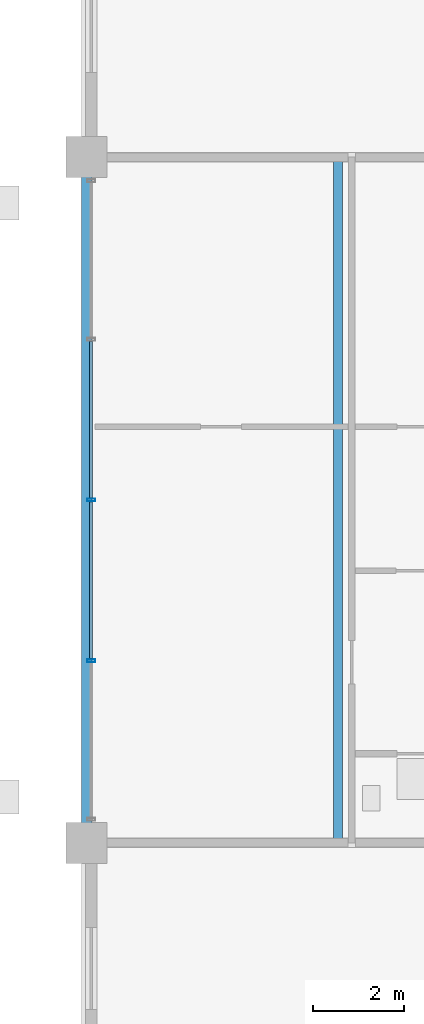
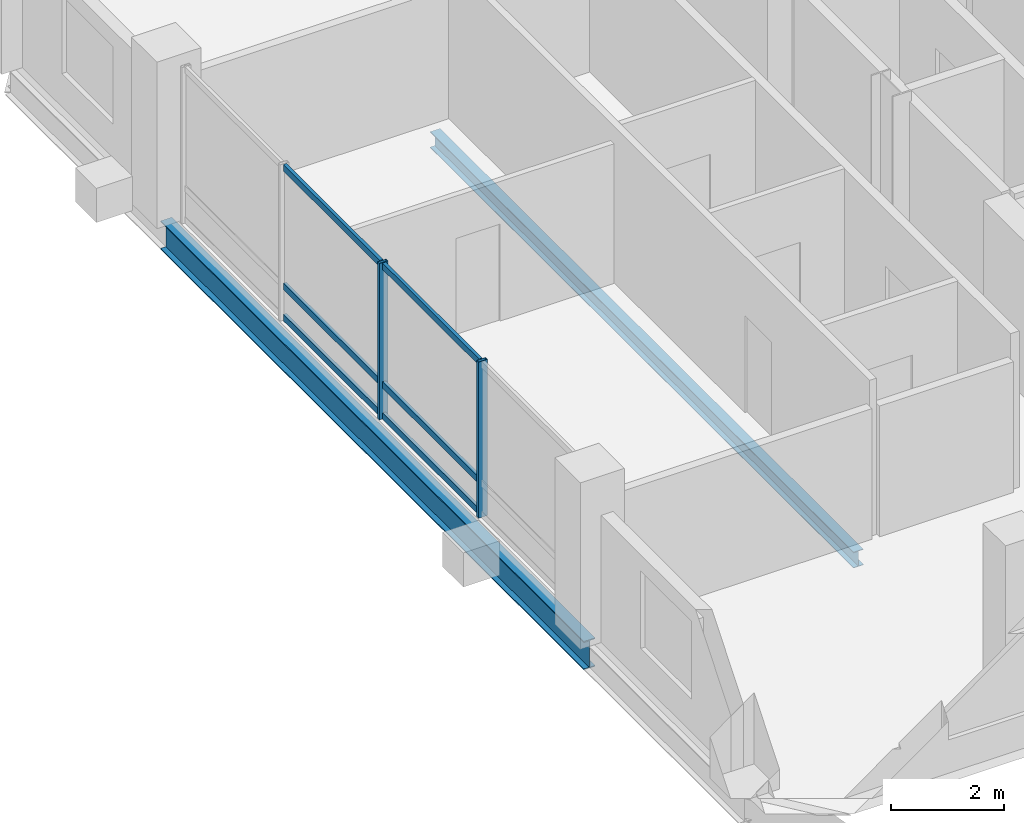
# One storey, part 6 of 22: 8 members, 2 beams, 1 element without a shape of its own.
"""IFC4 building model written with IfcOpenShell, lengths in metres."""

from ifc_helpers import new_model, si_unit, direction, frame, origin, origin_2d, place, context, subcontext, project, spatial, hollow_rectangle, i_section, extrude, material, layer, layer_set, material_profile, profile_set, type_object, element, aggregate, save


model = new_model("IFC4")

# Units and contexts
model_context = context("Model", 3, precision=1e-05, world=origin(), true_north=direction((0.0, 1.0)))
body_context = subcontext(model_context, "Body", "Model", "MODEL_VIEW")
ifc_project = project(units=[si_unit("LENGTHUNIT", "METRE"), si_unit("AREAUNIT", "SQUARE_METRE"), si_unit("VOLUMEUNIT", "CUBIC_METRE"), si_unit("PLANEANGLEUNIT", "RADIAN"), si_unit("MASSUNIT", "GRAM", prefix="KILO")], contexts=[model_context])

# Site, building, storey
site_placement = place(None, origin())
site = spatial("IfcSite", under=ifc_project, at=site_placement, CompositionType="ELEMENT")
building_placement = place(site_placement, origin())
building = spatial("IfcBuilding", under=site, at=building_placement, Name="Barlavira Tower and Art Museum", CompositionType="ELEMENT")
storey_placement = place(building_placement, frame((0.0, 0.0, 243.89990234375)))
storey = spatial("IfcBuildingStorey", under=building, at=storey_placement, Name="L63", CompositionType="ELEMENT", Elevation=243.89990234375)

# Curtain wall, members
ifc_material_1 = material(Name="Low-iron coastal laminated glass", Category="glass")
ifc_layer = layer(ifc_material_1, 0.2099609375, Name="Low-iron coastal laminated glass")
ifc_layer_set = layer_set([ifc_layer], Name="Low-iron coastal laminated glass")
curtain_wall_type = type_object("IfcCurtainWallType", Name="Pale-Metal Unitised Curtain Wall Zone 4", PredefinedType="NOTDEFINED", material=ifc_layer_set)
curtain_wall_placement = place(storey_placement, origin())
curtain_wall = element("IfcCurtainWall", 1, at=curtain_wall_placement, inside=storey, type_object=curtain_wall_type, Name="L63 Curtain Wall CW4-L63-W-B3", PredefinedType="NOTDEFINED")
ifc_material_2 = material(Name="Pale anodised aluminium", Category="aluminium")
ifc_material_profile_1 = material_profile(ifc_material_2, hollow_rectangle(XDim=0.06494140625, YDim=0.179931640625, WallThickness=0.00390625, at=origin_2d()), Name="ALU-MULL 65x180x4")
ifc_profile_set_1 = profile_set([ifc_material_profile_1], Name="Pale anodised aluminium")
member_type_1 = type_object("IfcMemberType", Name="Curtain Wall Pale-Metal Mullion 65x180", PredefinedType="MULLION", material=ifc_profile_set_1)
member_1_placement = place(storey_placement, frame((-16.89990234375, 0.0, 0.0), z_axis=(0.0, 0.0, 1.0), x_axis=(0.0, -1.0, 0.0)))
member_1 = element("IfcMember", 2, at=member_1_placement, type_object=member_type_1, Name="CW4-L63-W-B3 Mullion 2", PredefinedType="MULLION", context=body_context, shape_type="SweptSolid", body=[
    extrude(hollow_rectangle(XDim=0.06494140625, YDim=0.179931640625, WallThickness=0.00390625, at=origin_2d()), origin(), (0.0, 0.0, 1.0), 3.380126953125),
])
member_2_placement = place(storey_placement, frame((-16.89990234375, -3.514892578125, 0.0), z_axis=(0.0, 0.0, 1.0), x_axis=(0.0, -1.0, 0.0)))
member_2 = element("IfcMember", 3, at=member_2_placement, type_object=member_type_1, Name="CW4-L63-W-B3 Mullion 3", PredefinedType="MULLION", context=body_context, shape_type="SweptSolid", body=[
    extrude(hollow_rectangle(XDim=0.06494140625, YDim=0.179931640625, WallThickness=0.00390625, at=origin_2d()), origin(), (0.0, 0.0, 1.0), 3.380126953125),
])
ifc_material_profile_2 = material_profile(ifc_material_2, hollow_rectangle(XDim=0.06494140625, YDim=0.139892578125, WallThickness=0.00390625, at=origin_2d()), Name="ALU-TRAN 65x140x4")
ifc_profile_set_2 = profile_set([ifc_material_profile_2], Name="Pale anodised aluminium")
member_type_2 = type_object("IfcMemberType", Name="Curtain Wall Pale-Metal Transom 65x140", PredefinedType="USERDEFINED", material=ifc_profile_set_2)
member_3_placement = place(storey_placement, frame((-16.89990234375, 3.469970703125, 0.070068359375), z_axis=(0.0, -1.0, 0.0), x_axis=(1.0, 0.0, 0.0)))
member_3 = element("IfcMember", 4, at=member_3_placement, type_object=member_type_2, Name="CW4-L63-W-B3 Transom 1.1", ObjectType="TRANSOM", PredefinedType="USERDEFINED", context=body_context, shape_type="SweptSolid", body=[
    extrude(hollow_rectangle(XDim=0.06494140625, YDim=0.139892578125, WallThickness=0.00390625, at=origin_2d()), origin(), (0.0, 0.0, 1.0), 3.425048828125),
])
member_4_placement = place(storey_placement, frame((-16.89990234375, 3.469970703125, 0.744140625), z_axis=(0.0, -1.0, 0.0), x_axis=(1.0, 0.0, 0.0)))
member_4 = element("IfcMember", 5, at=member_4_placement, type_object=member_type_2, Name="CW4-L63-W-B3 Transom 1.2", ObjectType="TRANSOM", PredefinedType="USERDEFINED", context=body_context, shape_type="SweptSolid", body=[
    extrude(hollow_rectangle(XDim=0.06494140625, YDim=0.139892578125, WallThickness=0.00390625, at=origin_2d()), origin(), (0.0, 0.0, 1.0), 3.425048828125),
])
member_5_placement = place(storey_placement, frame((-16.89990234375, 3.469970703125, 3.31005859375), z_axis=(0.0, -1.0, 0.0), x_axis=(1.0, 0.0, 0.0)))
member_5 = element("IfcMember", 6, at=member_5_placement, type_object=member_type_2, Name="CW4-L63-W-B3 Transom 1.3", ObjectType="TRANSOM", PredefinedType="USERDEFINED", context=body_context, shape_type="SweptSolid", body=[
    extrude(hollow_rectangle(XDim=0.06494140625, YDim=0.139892578125, WallThickness=0.00390625, at=origin_2d()), origin(), (0.0, 0.0, 1.0), 3.425048828125),
])
member_6_placement = place(storey_placement, frame((-16.89990234375, -0.044921875, 0.070068359375), z_axis=(0.0, -1.0, 0.0), x_axis=(1.0, 0.0, 0.0)))
member_6 = element("IfcMember", 7, at=member_6_placement, type_object=member_type_2, Name="CW4-L63-W-B3 Transom 2.1", ObjectType="TRANSOM", PredefinedType="USERDEFINED", context=body_context, shape_type="SweptSolid", body=[
    extrude(hollow_rectangle(XDim=0.06494140625, YDim=0.139892578125, WallThickness=0.00390625, at=origin_2d()), origin(), (0.0, 0.0, 1.0), 3.425048828125),
])
member_7_placement = place(storey_placement, frame((-16.89990234375, -0.044921875, 0.744140625), z_axis=(0.0, -1.0, 0.0), x_axis=(1.0, 0.0, 0.0)))
member_7 = element("IfcMember", 8, at=member_7_placement, type_object=member_type_2, Name="CW4-L63-W-B3 Transom 2.2", ObjectType="TRANSOM", PredefinedType="USERDEFINED", context=body_context, shape_type="SweptSolid", body=[
    extrude(hollow_rectangle(XDim=0.06494140625, YDim=0.139892578125, WallThickness=0.00390625, at=origin_2d()), origin(), (0.0, 0.0, 1.0), 3.425048828125),
])
member_8_placement = place(storey_placement, frame((-16.89990234375, -0.044921875, 3.31005859375), z_axis=(0.0, -1.0, 0.0), x_axis=(1.0, 0.0, 0.0)))
member_8 = element("IfcMember", 9, at=member_8_placement, type_object=member_type_2, Name="CW4-L63-W-B3 Transom 2.3", ObjectType="TRANSOM", PredefinedType="USERDEFINED", context=body_context, shape_type="SweptSolid", body=[
    extrude(hollow_rectangle(XDim=0.06494140625, YDim=0.139892578125, WallThickness=0.00390625, at=origin_2d()), origin(), (0.0, 0.0, 1.0), 3.425048828125),
])
aggregate(curtain_wall, [member_1, member_2, member_3, member_4, member_5, member_6, member_7, member_8])

# Beams
ifc_material_3 = material(Name="Steel S355", Category="steel")
ifc_material_profile_3 = material_profile(ifc_material_3, i_section(OverallWidth=0.22998046875, OverallDepth=0.616943359375, WebThickness=0.01318359375, FlangeThickness=0.022216796875, at=origin_2d()), Name="W610x140.0")
ifc_profile_set_3 = profile_set([ifc_material_profile_3], Name="Steel S355")
beam_type_1 = type_object("IfcBeamType", Name="Upper Shaft Spandrel Edge Beam W610x140 Steel S355", PredefinedType="SPANDREL", material=ifc_profile_set_3)
beam_1_placement = place(storey_placement, frame((-17.0, -7.5, -0.5283203125), z_axis=(0.0, 1.0, 0.0), x_axis=(-1.0, 0.0, 0.0)))
element("IfcBeam", 10, at=beam_1_placement, inside=storey, type_object=beam_type_1, Name="L63 Spandrel 14", PredefinedType="SPANDREL", context=body_context, shape_type="SweptSolid", body=[
    extrude(i_section(OverallWidth=0.22998046875, OverallDepth=0.616943359375, WebThickness=0.01318359375, FlangeThickness=0.022216796875, at=origin_2d()), origin(), (0.0, 0.0, 1.0), 15.0),
])
ifc_material_profile_4 = material_profile(ifc_material_3, i_section(OverallWidth=0.202880859375, OverallDepth=0.346923828125, WebThickness=0.0078125, FlangeThickness=0.013427734375, at=origin_2d()), Name="W360x64.0")
ifc_profile_set_4 = profile_set([ifc_material_profile_4], Name="Steel S355")
beam_type_2 = type_object("IfcBeamType", Name="Zone 4 Composite Floor Joist W360x64 Steel S355", PredefinedType="JOIST", material=ifc_profile_set_4)
beam_2_placement = place(storey_placement, frame((-11.5, -7.5, -0.393310546875), z_axis=(0.0, 1.0, 0.0), x_axis=(-1.0, 0.0, 0.0)))
element("IfcBeam", 11, at=beam_2_placement, inside=storey, type_object=beam_type_2, Name="L63 Joist W1", PredefinedType="JOIST", context=body_context, shape_type="SweptSolid", body=[
    extrude(i_section(OverallWidth=0.202880859375, OverallDepth=0.346923828125, WebThickness=0.0078125, FlangeThickness=0.013427734375, at=origin_2d()), origin(), (0.0, 0.0, 1.0), 15.0),
])

save(model, "model.ifc")
